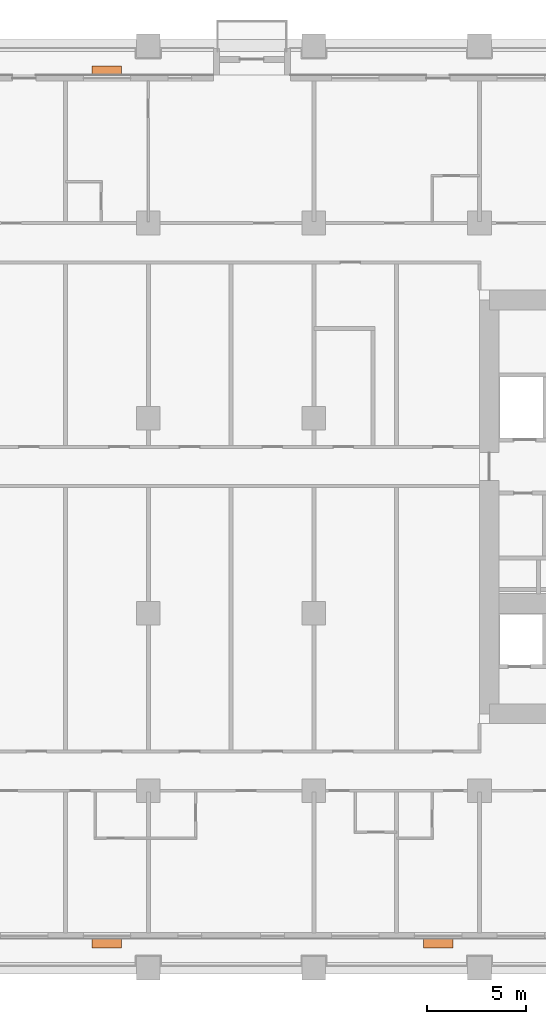
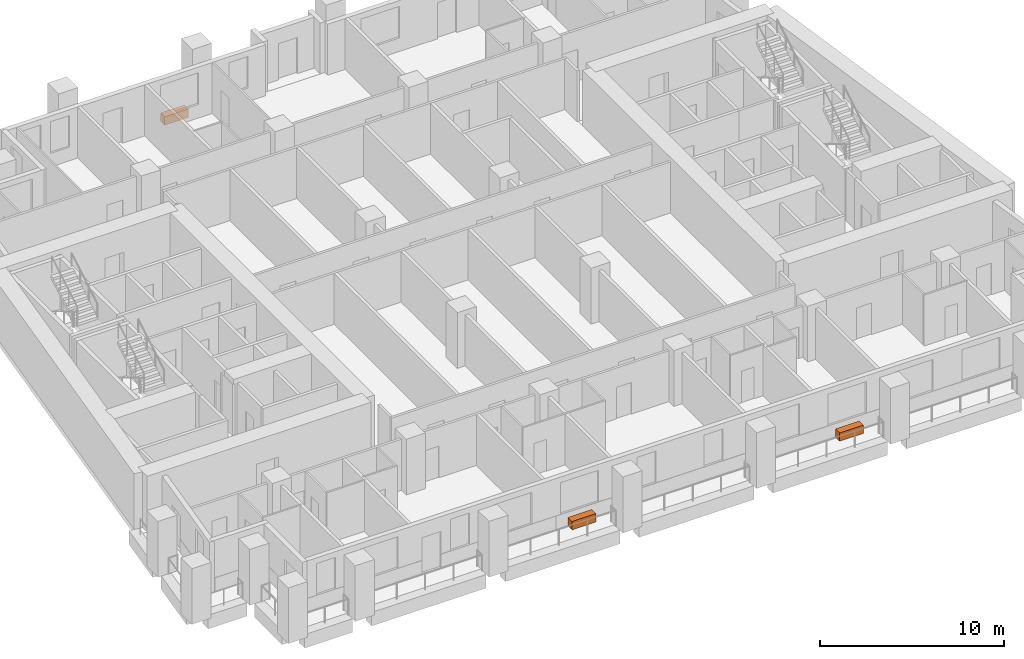
# One storey, part 13 of 13: 3 proxies.
"""IFC4 building model written with IfcOpenShell, lengths in metres."""

from ifc_helpers import new_model, si_unit, direction, frame, origin, origin_2d, place, context, subcontext, project, spatial, rectangle, extrude, element, save


model = new_model("IFC4")

# Units and contexts
model_context = context("Model", 3, precision=1e-05, world=origin(), true_north=direction((0.0, 1.0)))
body_context = subcontext(model_context, "Body", "Model", "MODEL_VIEW")
ifc_project = project(units=[si_unit("LENGTHUNIT", "METRE"), si_unit("AREAUNIT", "SQUARE_METRE"), si_unit("VOLUMEUNIT", "CUBIC_METRE"), si_unit("PLANEANGLEUNIT", "RADIAN"), si_unit("MASSUNIT", "GRAM", prefix="KILO")], contexts=[model_context])

# Site, building, storey
site_placement = place(None, origin())
site = spatial("IfcSite", under=ifc_project, at=site_placement, CompositionType="ELEMENT")
building_placement = place(site_placement, origin())
building = spatial("IfcBuilding", under=site, at=building_placement, Name="Candeia Pilgrim Tower and Theatre", CompositionType="ELEMENT")
storey_placement = place(building_placement, frame((0.0, 0.0, 102.10009765625)))
storey = spatial("IfcBuildingStorey", under=building, at=storey_placement, Name="L23", CompositionType="ELEMENT", Elevation=102.10009765625)

# Proxies
for number, where, z_axis, x_axis, name in (
    (1, (107.10009765625, 99.2548828125, 0.0), (0.0, 0.0, 1.0), (1.0, 0.0, 0.0), "Planter"),
    (2, (123.89990234375, 99.2548828125, 0.0), (0.0, 0.0, 1.0), (1.0, 0.0, 0.0), "Planter"),
    (3, (107.10009765625, 143.544921875, 0.0), (0.0, 0.0, 1.0), (-1.0, 0.0, 0.0), "Planter"),
):
    element("IfcBuildingElementProxy", number, at=place(storey_placement, frame(where, z_axis=z_axis, x_axis=x_axis)), inside=storey, Name=name, ObjectType="PLANTER", PredefinedType="USERDEFINED", context=body_context, shape_type="SweptSolid", body=[
        extrude(rectangle(XDim=1.5, YDim=0.449951171875, at=origin_2d()), origin(), (0.0, 0.0, 1.0), 0.550048828125),
    ])

save(model, "model.ifc")
